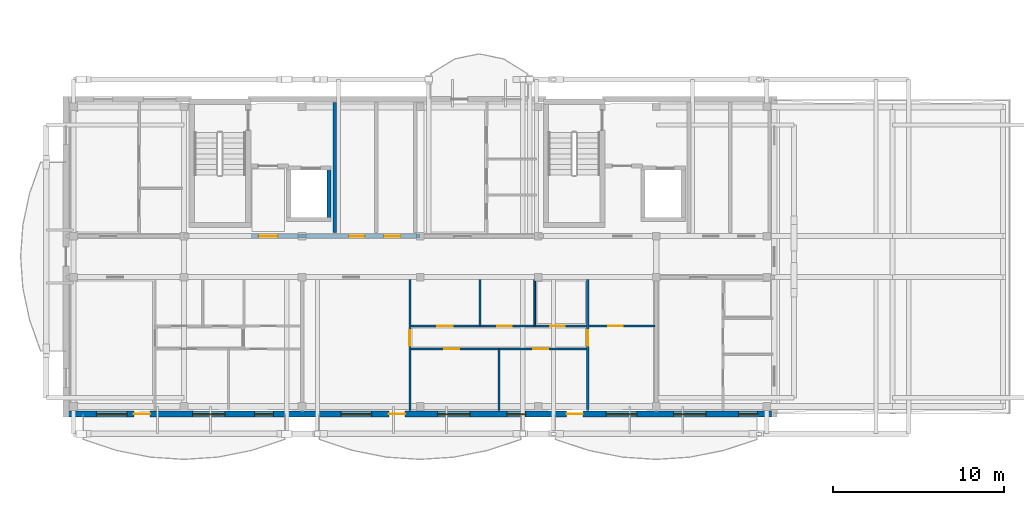
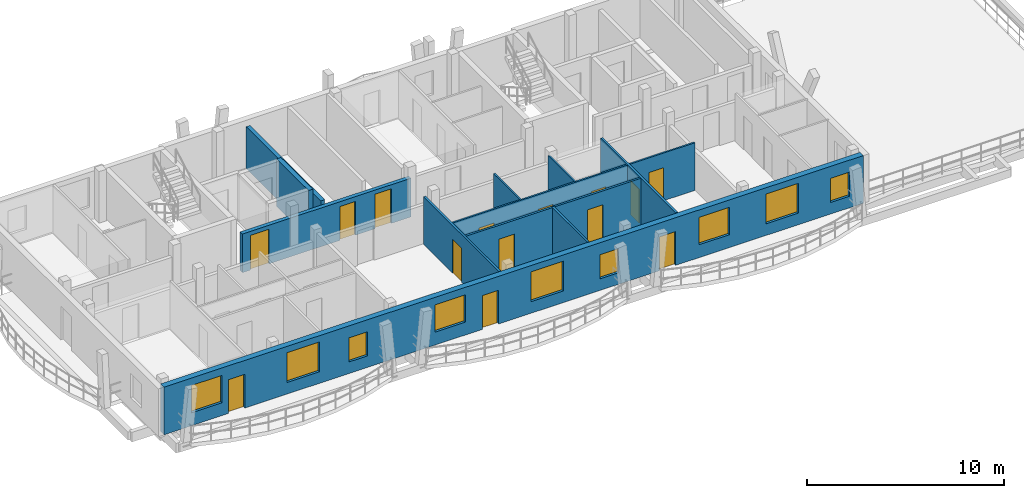
# One storey, part 14 of 33: 14 doors, 11 walls, 9 windows, 23 openings.
"""IFC4 building model written with IfcOpenShell, lengths in metres."""

from ifc_helpers import new_model, si_unit, direction, frame, frame_2d, origin, origin_with_axes, place, context, subcontext, project, spatial, rectangle, extrude, material, layer, layer_set, type_object, element, fill, save


model = new_model("IFC4")

# Units and contexts
model_context = context("Model", 3, precision=1e-05, world=origin(), true_north=direction((0.0, 1.0)))
body_context = subcontext(model_context, "Body", "Model", "MODEL_VIEW")
ifc_project = project(units=[si_unit("LENGTHUNIT", "METRE"), si_unit("AREAUNIT", "SQUARE_METRE"), si_unit("VOLUMEUNIT", "CUBIC_METRE"), si_unit("PLANEANGLEUNIT", "RADIAN"), si_unit("MASSUNIT", "GRAM", prefix="KILO")], contexts=[model_context])

# Site, building, storey
site_placement = place(None, origin())
site = spatial("IfcSite", under=ifc_project, at=site_placement, CompositionType="ELEMENT")
building_placement = place(site_placement, origin())
building = spatial("IfcBuilding", under=site, at=building_placement, Name="Zavelmont Quarter", CompositionType="ELEMENT")
storey_placement = place(building_placement, frame((0.0, 0.0, 30.39990234375)))
storey = spatial("IfcBuildingStorey", under=building, at=storey_placement, Name="L09", CompositionType="ELEMENT", Elevation=30.39990234375)

# Wall, openings, doors, windows
ifc_material_1 = material(Name="Natural Belgian limestone", Category="masonry")
ifc_layer_1 = layer(ifc_material_1, 0.340087890625)
ifc_layer_set_1 = layer_set([ifc_layer_1], Name="Natural Belgian limestone")
wall_type_1 = type_object("IfcWallType", Name="EW03", PredefinedType="STANDARD", material=ifc_layer_set_1)
wall_1_placement = place(storey_placement, frame((0.159912109375, 0.0, 0.0), z_axis=(0.0, 0.0, 1.0), x_axis=(1.0, 0.0, 0.0)))
wall_1 = element("IfcWall", 1, at=wall_1_placement, inside=storey, type_object=wall_type_1, Name="L09 exterior limestone wall EW03", PredefinedType="STANDARD", context=body_context, shape_type="SweptSolid", body=[
    extrude(rectangle(XDim=41.080078125, YDim=0.340087890625, at=frame_2d((20.5400390625, 0.0))), origin(), (0.0, 0.0, 1.0), 2.960205078125),
])
opening_1_placement = place(wall_1_placement, frame((3.806640625, 0.0, 0.0)))
opening_1 = element("IfcOpeningElement", 2, at=opening_1_placement, cuts=wall_1, Name="Opening DR04", PredefinedType="OPENING", context=body_context, shape_type="SweptSolid", body=[
    extrude(rectangle(XDim=0.949951171875, YDim=2.10009765625, at=frame_2d((0.47509765625, 1.050048828125))), frame((0.0, 0.18212890625, 0.0), z_axis=(0.0, -1.0, 0.0), x_axis=(1.0, 0.0, 0.0)), (0.0, 0.0, 1.0), 0.364013671875),
])
opening_2_placement = place(wall_1_placement, frame((18.70654296875, 0.0, 0.0)))
opening_2 = element("IfcOpeningElement", 3, at=opening_2_placement, cuts=wall_1, Name="Opening DR04", PredefinedType="OPENING", context=body_context, shape_type="SweptSolid", body=[
    extrude(rectangle(XDim=0.949951171875, YDim=2.10009765625, at=frame_2d((0.47509765625, 1.050048828125))), frame((0.0, 0.18212890625, 0.0), z_axis=(0.0, -1.0, 0.0), x_axis=(1.0, 0.0, 0.0)), (0.0, 0.0, 1.0), 0.364013671875),
])
opening_3_placement = place(wall_1_placement, frame((29.106689453125, 0.0, 0.0)))
opening_3 = element("IfcOpeningElement", 4, at=opening_3_placement, cuts=wall_1, Name="Opening DR04", PredefinedType="OPENING", context=body_context, shape_type="SweptSolid", body=[
    extrude(rectangle(XDim=0.949951171875, YDim=2.10009765625, at=frame_2d((0.47509765625, 1.050048828125))), frame((0.0, 0.18212890625, 0.0), z_axis=(0.0, -1.0, 0.0), x_axis=(1.0, 0.0, 0.0)), (0.0, 0.0, 1.0), 0.364013671875),
])
opening_4_placement = place(wall_1_placement, frame((1.610107421875, 0.0, 0.800048828125)))
opening_4 = element("IfcOpeningElement", 5, at=opening_4_placement, cuts=wall_1, Name="Opening WN02", PredefinedType="OPENING", context=body_context, shape_type="SweptSolid", body=[
    extrude(rectangle(XDim=1.800048828125, YDim=1.699951171875, at=frame_2d((0.89990234375, 0.85009765625))), frame((0.0, 0.18212890625, 0.0), z_axis=(0.0, -1.0, 0.0), x_axis=(1.0, 0.0, 0.0)), (0.0, 0.0, 1.0), 0.364013671875),
])
opening_5_placement = place(wall_1_placement, frame((7.242431640625, 0.0, 0.719970703125)))
opening_5 = element("IfcOpeningElement", 6, at=opening_5_placement, cuts=wall_1, Name="Opening WN20", PredefinedType="OPENING", context=body_context, shape_type="SweptSolid", body=[
    extrude(rectangle(XDim=1.89990234375, YDim=1.85009765625, at=frame_2d((0.949951171875, 0.925048828125))), frame((0.0, 0.18212890625, 0.0), z_axis=(0.0, -1.0, 0.0), x_axis=(1.0, 0.0, 0.0)), (0.0, 0.0, 1.0), 0.364013671875),
])
opening_6_placement = place(wall_1_placement, frame((10.860107421875, 0.0, 0.719970703125)))
opening_6 = element("IfcOpeningElement", 7, at=opening_6_placement, cuts=wall_1, Name="Opening WN09", PredefinedType="OPENING", context=body_context, shape_type="SweptSolid", body=[
    extrude(rectangle(XDim=1.10009765625, YDim=1.5, at=frame_2d((0.550048828125, 0.75))), frame((0.0, 0.18212890625, 0.0), z_axis=(0.0, -1.0, 0.0), x_axis=(1.0, 0.0, 0.0)), (0.0, 0.0, 1.0), 0.364013671875),
])
opening_7_placement = place(wall_1_placement, frame((15.909912109375, 0.0, 0.800048828125)))
opening_7 = element("IfcOpeningElement", 8, at=opening_7_placement, cuts=wall_1, Name="Opening WN02", PredefinedType="OPENING", context=body_context, shape_type="SweptSolid", body=[
    extrude(rectangle(XDim=1.800048828125, YDim=1.699951171875, at=frame_2d((0.89990234375, 0.85009765625))), frame((0.0, 0.18212890625, 0.0), z_axis=(0.0, -1.0, 0.0), x_axis=(1.0, 0.0, 0.0)), (0.0, 0.0, 1.0), 0.364013671875),
])
opening_8_placement = place(wall_1_placement, frame((21.56005859375, 0.0, 0.719970703125)))
opening_8 = element("IfcOpeningElement", 9, at=opening_8_placement, cuts=wall_1, Name="Opening WN20", PredefinedType="OPENING", context=body_context, shape_type="SweptSolid", body=[
    extrude(rectangle(XDim=1.89990234375, YDim=1.85009765625, at=frame_2d((0.949951171875, 0.925048828125))), frame((0.0, 0.18212890625, 0.0), z_axis=(0.0, -1.0, 0.0), x_axis=(1.0, 0.0, 0.0)), (0.0, 0.0, 1.0), 0.364013671875),
])
opening_9_placement = place(wall_1_placement, frame((25.610107421875, 0.0, 0.719970703125)))
opening_9 = element("IfcOpeningElement", 10, at=opening_9_placement, cuts=wall_1, Name="Opening WN09", PredefinedType="OPENING", context=body_context, shape_type="SweptSolid", body=[
    extrude(rectangle(XDim=1.10009765625, YDim=1.5, at=frame_2d((0.550048828125, 0.75))), frame((0.0, 0.18212890625, 0.0), z_axis=(0.0, -1.0, 0.0), x_axis=(1.0, 0.0, 0.0)), (0.0, 0.0, 1.0), 0.364013671875),
])
opening_10_placement = place(wall_1_placement, frame((31.409912109375, 0.0, 0.800048828125)))
opening_10 = element("IfcOpeningElement", 11, at=opening_10_placement, cuts=wall_1, Name="Opening WN02", PredefinedType="OPENING", context=body_context, shape_type="SweptSolid", body=[
    extrude(rectangle(XDim=1.800048828125, YDim=1.699951171875, at=frame_2d((0.89990234375, 0.85009765625))), frame((0.0, 0.18212890625, 0.0), z_axis=(0.0, -1.0, 0.0), x_axis=(1.0, 0.0, 0.0)), (0.0, 0.0, 1.0), 0.364013671875),
])
opening_11_placement = place(wall_1_placement, frame((35.360107421875, 0.0, 0.719970703125)))
opening_11 = element("IfcOpeningElement", 12, at=opening_11_placement, cuts=wall_1, Name="Opening WN20", PredefinedType="OPENING", context=body_context, shape_type="SweptSolid", body=[
    extrude(rectangle(XDim=1.89990234375, YDim=1.85009765625, at=frame_2d((0.949951171875, 0.925048828125))), frame((0.0, 0.18212890625, 0.0), z_axis=(0.0, -1.0, 0.0), x_axis=(1.0, 0.0, 0.0)), (0.0, 0.0, 1.0), 0.364013671875),
])
opening_12_placement = place(wall_1_placement, frame((39.159912109375, 0.0, 0.719970703125)))
opening_12 = element("IfcOpeningElement", 13, at=opening_12_placement, cuts=wall_1, Name="Opening WN09", PredefinedType="OPENING", context=body_context, shape_type="SweptSolid", body=[
    extrude(rectangle(XDim=1.10009765625, YDim=1.5, at=frame_2d((0.550048828125, 0.75))), frame((0.0, 0.18212890625, 0.0), z_axis=(0.0, -1.0, 0.0), x_axis=(1.0, 0.0, 0.0)), (0.0, 0.0, 1.0), 0.364013671875),
])
ifc_material_2 = material(Name="Thermally broken aluminium and double safety glass", Category="aluminium")
door_type_1 = type_object("IfcDoorType", Name="DR04", OperationType="NOTDEFINED", PredefinedType="DOOR", material=ifc_material_2)
door_1_placement = place(opening_1_placement, origin_with_axes())
door_1 = element("IfcDoor", 14, at=door_1_placement, inside=storey, type_object=door_type_1, Name="Block A L09 glazed balcony door", OperationType="SINGLE_SWING_RIGHT", OverallHeight=2.10009765625, OverallWidth=0.949951171875, PredefinedType="DOOR", context=body_context, shape_type="SweptSolid", body=[
    extrude(rectangle(XDim=0.949951171875, YDim=2.10009765625, at=frame_2d((0.47509765625, 1.050048828125))), frame((0.0, 0.02490234375, 0.0), z_axis=(0.0, -1.0, 0.0), x_axis=(1.0, 0.0, 0.0)), (0.0, 0.0, 1.0), 0.050048828125),
])
fill(opening_1, door_1)
door_2_placement = place(opening_2_placement, origin_with_axes())
door_2 = element("IfcDoor", 15, at=door_2_placement, inside=storey, type_object=door_type_1, Name="Block A L09 glazed balcony door", OperationType="SINGLE_SWING_RIGHT", OverallHeight=2.10009765625, OverallWidth=0.949951171875, PredefinedType="DOOR", context=body_context, shape_type="SweptSolid", body=[
    extrude(rectangle(XDim=0.949951171875, YDim=2.10009765625, at=frame_2d((0.47509765625, 1.050048828125))), frame((0.0, 0.02490234375, 0.0), z_axis=(0.0, -1.0, 0.0), x_axis=(1.0, 0.0, 0.0)), (0.0, 0.0, 1.0), 0.050048828125),
])
fill(opening_2, door_2)
door_3_placement = place(opening_3_placement, origin_with_axes())
door_3 = element("IfcDoor", 16, at=door_3_placement, inside=storey, type_object=door_type_1, Name="Block A L09 glazed balcony door", OperationType="SINGLE_SWING_RIGHT", OverallHeight=2.10009765625, OverallWidth=0.949951171875, PredefinedType="DOOR", context=body_context, shape_type="SweptSolid", body=[
    extrude(rectangle(XDim=0.949951171875, YDim=2.10009765625, at=frame_2d((0.47509765625, 1.050048828125))), frame((0.0, 0.02490234375, 0.0), z_axis=(0.0, -1.0, 0.0), x_axis=(1.0, 0.0, 0.0)), (0.0, 0.0, 1.0), 0.050048828125),
])
fill(opening_3, door_3)
ifc_material_3 = material(Name="Double low-E insulated glazing in thermally broken aluminium frame", Category="aluminium")
window_type_1 = type_object("IfcWindowType", Name="WN02", PartitioningType="SINGLE_PANEL", PredefinedType="WINDOW", material=ifc_material_3)
window_1_placement = place(opening_4_placement, origin_with_axes())
window_1 = element("IfcWindow", 17, at=window_1_placement, inside=storey, type_object=window_type_1, Name="L09 window WN02", OverallHeight=1.699951171875, OverallWidth=1.800048828125, PartitioningType="SINGLE_PANEL", PredefinedType="WINDOW", context=body_context, shape_type="SweptSolid", body=[
    extrude(rectangle(XDim=1.800048828125, YDim=1.699951171875, at=frame_2d((0.89990234375, 0.85009765625))), frame((0.0, 0.030029296875, 0.0), z_axis=(0.0, -1.0, 0.0), x_axis=(1.0, 0.0, 0.0)), (0.0, 0.0, 1.0), 0.06005859375),
])
fill(opening_4, window_1)
window_2_placement = place(opening_7_placement, origin_with_axes())
window_2 = element("IfcWindow", 18, at=window_2_placement, inside=storey, type_object=window_type_1, Name="L09 window WN02", OverallHeight=1.699951171875, OverallWidth=1.800048828125, PartitioningType="SINGLE_PANEL", PredefinedType="WINDOW", context=body_context, shape_type="SweptSolid", body=[
    extrude(rectangle(XDim=1.800048828125, YDim=1.699951171875, at=frame_2d((0.89990234375, 0.85009765625))), frame((0.0, 0.030029296875, 0.0), z_axis=(0.0, -1.0, 0.0), x_axis=(1.0, 0.0, 0.0)), (0.0, 0.0, 1.0), 0.06005859375),
])
fill(opening_7, window_2)
window_3_placement = place(opening_10_placement, origin_with_axes())
window_3 = element("IfcWindow", 19, at=window_3_placement, inside=storey, type_object=window_type_1, Name="L09 window WN02", OverallHeight=1.699951171875, OverallWidth=1.800048828125, PartitioningType="SINGLE_PANEL", PredefinedType="WINDOW", context=body_context, shape_type="SweptSolid", body=[
    extrude(rectangle(XDim=1.800048828125, YDim=1.699951171875, at=frame_2d((0.89990234375, 0.85009765625))), frame((0.0, 0.030029296875, 0.0), z_axis=(0.0, -1.0, 0.0), x_axis=(1.0, 0.0, 0.0)), (0.0, 0.0, 1.0), 0.06005859375),
])
fill(opening_10, window_3)
window_type_2 = type_object("IfcWindowType", Name="WN09", PartitioningType="SINGLE_PANEL", PredefinedType="WINDOW", material=ifc_material_3)
window_4_placement = place(opening_6_placement, origin_with_axes())
window_4 = element("IfcWindow", 20, at=window_4_placement, inside=storey, type_object=window_type_2, Name="L09 window WN09", OverallHeight=1.5, OverallWidth=1.10009765625, PartitioningType="SINGLE_PANEL", PredefinedType="WINDOW", context=body_context, shape_type="SweptSolid", body=[
    extrude(rectangle(XDim=1.10009765625, YDim=1.5, at=frame_2d((0.550048828125, 0.75))), frame((0.0, 0.030029296875, 0.0), z_axis=(0.0, -1.0, 0.0), x_axis=(1.0, 0.0, 0.0)), (0.0, 0.0, 1.0), 0.06005859375),
])
fill(opening_6, window_4)
window_5_placement = place(opening_9_placement, origin_with_axes())
window_5 = element("IfcWindow", 21, at=window_5_placement, inside=storey, type_object=window_type_2, Name="L09 window WN09", OverallHeight=1.5, OverallWidth=1.10009765625, PartitioningType="SINGLE_PANEL", PredefinedType="WINDOW", context=body_context, shape_type="SweptSolid", body=[
    extrude(rectangle(XDim=1.10009765625, YDim=1.5, at=frame_2d((0.550048828125, 0.75))), frame((0.0, 0.030029296875, 0.0), z_axis=(0.0, -1.0, 0.0), x_axis=(1.0, 0.0, 0.0)), (0.0, 0.0, 1.0), 0.06005859375),
])
fill(opening_9, window_5)
window_6_placement = place(opening_12_placement, origin_with_axes())
window_6 = element("IfcWindow", 22, at=window_6_placement, inside=storey, type_object=window_type_2, Name="L09 window WN09", OverallHeight=1.5, OverallWidth=1.10009765625, PartitioningType="SINGLE_PANEL", PredefinedType="WINDOW", context=body_context, shape_type="SweptSolid", body=[
    extrude(rectangle(XDim=1.10009765625, YDim=1.5, at=frame_2d((0.550048828125, 0.75))), frame((0.0, 0.030029296875, 0.0), z_axis=(0.0, -1.0, 0.0), x_axis=(1.0, 0.0, 0.0)), (0.0, 0.0, 1.0), 0.06005859375),
])
fill(opening_12, window_6)
window_type_3 = type_object("IfcWindowType", Name="WN20", PartitioningType="SINGLE_PANEL", PredefinedType="WINDOW", material=ifc_material_3)
window_7_placement = place(opening_5_placement, origin_with_axes())
window_7 = element("IfcWindow", 23, at=window_7_placement, inside=storey, type_object=window_type_3, Name="L09 window WN20", OverallHeight=1.85009765625, OverallWidth=1.89990234375, PartitioningType="SINGLE_PANEL", PredefinedType="WINDOW", context=body_context, shape_type="SweptSolid", body=[
    extrude(rectangle(XDim=1.89990234375, YDim=1.85009765625, at=frame_2d((0.949951171875, 0.925048828125))), frame((0.0, 0.030029296875, 0.0), z_axis=(0.0, -1.0, 0.0), x_axis=(1.0, 0.0, 0.0)), (0.0, 0.0, 1.0), 0.06005859375),
])
fill(opening_5, window_7)
window_8_placement = place(opening_8_placement, origin_with_axes())
window_8 = element("IfcWindow", 24, at=window_8_placement, inside=storey, type_object=window_type_3, Name="L09 window WN20", OverallHeight=1.85009765625, OverallWidth=1.89990234375, PartitioningType="SINGLE_PANEL", PredefinedType="WINDOW", context=body_context, shape_type="SweptSolid", body=[
    extrude(rectangle(XDim=1.89990234375, YDim=1.85009765625, at=frame_2d((0.949951171875, 0.925048828125))), frame((0.0, 0.030029296875, 0.0), z_axis=(0.0, -1.0, 0.0), x_axis=(1.0, 0.0, 0.0)), (0.0, 0.0, 1.0), 0.06005859375),
])
fill(opening_8, window_8)
window_9_placement = place(opening_11_placement, origin_with_axes())
window_9 = element("IfcWindow", 25, at=window_9_placement, inside=storey, type_object=window_type_3, Name="L09 window WN20", OverallHeight=1.85009765625, OverallWidth=1.89990234375, PartitioningType="SINGLE_PANEL", PredefinedType="WINDOW", context=body_context, shape_type="SweptSolid", body=[
    extrude(rectangle(XDim=1.89990234375, YDim=1.85009765625, at=frame_2d((0.949951171875, 0.925048828125))), frame((0.0, 0.030029296875, 0.0), z_axis=(0.0, -1.0, 0.0), x_axis=(1.0, 0.0, 0.0)), (0.0, 0.0, 1.0), 0.06005859375),
])
fill(opening_11, window_9)

# Wall
ifc_material_4 = material(Name="Reinforced masonry fire compartment wall", Category="masonry")
ifc_layer_2 = layer(ifc_material_4, 0.22509765625)
ifc_layer_set_2 = layer_set([ifc_layer_2], Name="Reinforced masonry fire compartment wall")
wall_type_2 = type_object("IfcWallType", Name="IW02", PredefinedType="PARTITIONING", material=ifc_layer_set_2)
wall_2_placement = place(storey_placement, frame((15.7099609375, 10.60009765625, 0.0), z_axis=(0.0, 0.0, 1.0), x_axis=(0.0, 1.0, 0.0)))
element("IfcWall", 26, at=wall_2_placement, inside=storey, type_object=wall_type_2, Name="L09 Firefighting lobby enclosure wall IW02", PredefinedType="PARTITIONING", context=body_context, shape_type="SweptSolid", body=[
    extrude(rectangle(XDim=7.599853515625, YDim=0.22509765625, at=frame_2d((3.7998046875, 0.0))), origin(), (0.0, 0.0, 1.0), 2.590087890625),
])

# Wall, openings, doors
wall_3_placement = place(storey_placement, frame((10.800048828125, 10.39990234375, 0.0), z_axis=(0.0, 0.0, 1.0), x_axis=(1.0, 0.0, 0.0)))
wall_3 = element("IfcWall", 27, at=wall_3_placement, inside=storey, type_object=wall_type_2, Name="L09 Core corridor fire wall IW02", PredefinedType="PARTITIONING", context=body_context, shape_type="SweptSolid", body=[
    extrude(rectangle(XDim=9.89990234375, YDim=0.22509765625, at=frame_2d((4.949951171875, 0.0))), origin(), (0.0, 0.0, 1.0), 2.400146484375),
])
opening_13_placement = place(wall_3_placement, frame((0.47509765625, 0.0, 0.0)))
opening_13 = element("IfcOpeningElement", 28, at=opening_13_placement, cuts=wall_3, Name="Opening DR10", PredefinedType="OPENING", context=body_context, shape_type="SweptSolid", body=[
    extrude(rectangle(XDim=1.10009765625, YDim=2.14990234375, at=frame_2d((0.550048828125, 1.074951171875))), frame((0.0, 0.12451171875, 0.0), z_axis=(0.0, -1.0, 0.0), x_axis=(1.0, 0.0, 0.0)), (0.0, 0.0, 1.0), 0.2490234375),
])
opening_14_placement = place(wall_3_placement, frame((5.75, 0.0, 0.0)))
opening_14 = element("IfcOpeningElement", 29, at=opening_14_placement, cuts=wall_3, Name="Opening DR11", PredefinedType="OPENING", context=body_context, shape_type="SweptSolid", body=[
    extrude(rectangle(XDim=0.89990234375, YDim=2.10009765625, at=frame_2d((0.449951171875, 1.050048828125))), frame((0.0, 0.12451171875, 0.0), z_axis=(0.0, -1.0, 0.0), x_axis=(1.0, 0.0, 0.0)), (0.0, 0.0, 1.0), 0.2490234375),
])
opening_15_placement = place(wall_3_placement, frame((7.800048828125, 0.0, 0.0)))
opening_15 = element("IfcOpeningElement", 30, at=opening_15_placement, cuts=wall_3, Name="Opening DR02", PredefinedType="OPENING", context=body_context, shape_type="SweptSolid", body=[
    extrude(rectangle(XDim=0.949951171875, YDim=2.14990234375, at=frame_2d((0.47509765625, 1.074951171875))), frame((0.0, 0.12451171875, 0.0), z_axis=(0.0, -1.0, 0.0), x_axis=(1.0, 0.0, 0.0)), (0.0, 0.0, 1.0), 0.2490234375),
])
ifc_material_5 = material(Name="Solid-core oak fire leaf in steel frame", Category="steel")
door_type_2 = type_object("IfcDoorType", Name="DR02", OperationType="NOTDEFINED", PredefinedType="DOOR", material=ifc_material_5)
door_4_placement = place(opening_15_placement, frame((0.949951171875, 0.0, 0.0), z_axis=(0.0, 0.0, 1.0), x_axis=(-1.0, 0.0, 0.0)))
door_4 = element("IfcDoor", 31, at=door_4_placement, inside=storey, type_object=door_type_2, Name="Auxiliary store corridor door", OperationType="SINGLE_SWING_RIGHT", OverallHeight=2.14990234375, OverallWidth=0.949951171875, PredefinedType="DOOR", context=body_context, shape_type="SweptSolid", body=[
    extrude(rectangle(XDim=0.949951171875, YDim=2.14990234375, at=frame_2d((0.47509765625, 1.074951171875))), frame((0.0, 0.02490234375, 0.0), z_axis=(0.0, -1.0, 0.0), x_axis=(1.0, 0.0, 0.0)), (0.0, 0.0, 1.0), 0.050048828125),
])
fill(opening_15, door_4)
ifc_material_6 = material(Name="Painted steel lobby fire door", Category="steel")
door_type_3 = type_object("IfcDoorType", Name="DR10", OperationType="NOTDEFINED", PredefinedType="DOOR", material=ifc_material_6)
door_5_placement = place(opening_13_placement, origin_with_axes())
door_5 = element("IfcDoor", 32, at=door_5_placement, inside=storey, type_object=door_type_3, Name="Core vestibule fire door", OperationType="SINGLE_SWING_RIGHT", OverallHeight=2.14990234375, OverallWidth=1.10009765625, PredefinedType="DOOR", context=body_context, shape_type="SweptSolid", body=[
    extrude(rectangle(XDim=1.10009765625, YDim=2.14990234375, at=frame_2d((0.550048828125, 1.074951171875))), frame((0.0, 0.02490234375, 0.0), z_axis=(0.0, -1.0, 0.0), x_axis=(1.0, 0.0, 0.0)), (0.0, 0.0, 1.0), 0.050048828125),
])
fill(opening_13, door_5)
ifc_material_7 = material(Name="Painted steel service-riser fire door", Category="steel")
door_type_4 = type_object("IfcDoorType", Name="DR11", OperationType="NOTDEFINED", PredefinedType="DOOR", material=ifc_material_7)
door_6_placement = place(opening_14_placement, frame((0.89990234375, 0.0, 0.0), z_axis=(0.0, 0.0, 1.0), x_axis=(-1.0, 0.0, 0.0)))
door_6 = element("IfcDoor", 33, at=door_6_placement, inside=storey, type_object=door_type_4, Name="Service riser fire door", OperationType="SINGLE_SWING_LEFT", OverallHeight=2.10009765625, OverallWidth=0.89990234375, PredefinedType="DOOR", context=body_context, shape_type="SweptSolid", body=[
    extrude(rectangle(XDim=0.89990234375, YDim=2.10009765625, at=frame_2d((0.449951171875, 1.050048828125))), frame((0.0, 0.02490234375, 0.0), z_axis=(0.0, -1.0, 0.0), x_axis=(1.0, 0.0, 0.0)), (0.0, 0.0, 1.0), 0.050048828125),
])
fill(opening_14, door_6)

# Wall, opening, door
ifc_material_8 = material(Name="Double gypsum board on acoustic steel stud", Category="steel")
ifc_layer_3 = layer(ifc_material_8, 0.125)
ifc_layer_set_3 = layer_set([ifc_layer_3], Name="Double gypsum board on acoustic steel stud")
wall_type_3 = type_object("IfcWallType", Name="IW03", PredefinedType="PARTITIONING", material=ifc_layer_set_3)
wall_4_placement = place(storey_placement, frame((20.10009765625, 7.85009765625, 0.0), z_axis=(0.0, 0.0, 1.0), x_axis=(0.0, -1.0, 0.0)))
wall_4 = element("IfcWall", 34, at=wall_4_placement, inside=storey, type_object=wall_type_3, Name="L09 Partition IW03", PredefinedType="PARTITIONING", context=body_context, shape_type="SweptSolid", body=[
    extrude(rectangle(XDim=7.650146484375, YDim=0.125, at=frame_2d((3.8251953125, 0.0))), origin(), (0.0, 0.0, 1.0), 2.960205078125),
])
opening_16_placement = place(wall_4_placement, frame((2.949951171875, 0.0, 0.0)))
opening_16 = element("IfcOpeningElement", 35, at=opening_16_placement, cuts=wall_4, Name="Opening DR05", PredefinedType="OPENING", context=body_context, shape_type="SweptSolid", body=[
    extrude(rectangle(XDim=0.89990234375, YDim=2.10009765625, at=frame_2d((0.449951171875, 1.050048828125))), frame((0.0, 0.074462890625, 0.0), z_axis=(0.0, -1.0, 0.0), x_axis=(1.0, 0.0, 0.0)), (0.0, 0.0, 1.0), 0.14892578125),
])
ifc_material_9 = material(Name="Engineered oak flush interior door")
door_type_5 = type_object("IfcDoorType", Name="DR05", OperationType="NOTDEFINED", PredefinedType="DOOR", material=ifc_material_9)
door_7_placement = place(opening_16_placement, origin_with_axes())
door_7 = element("IfcDoor", 36, at=door_7_placement, inside=storey, type_object=door_type_5, Name="L09 door DR05", OperationType="SINGLE_SWING_RIGHT", OverallHeight=2.10009765625, OverallWidth=0.89990234375, PredefinedType="DOOR", context=body_context, shape_type="SweptSolid", body=[
    extrude(rectangle(XDim=0.89990234375, YDim=2.10009765625, at=frame_2d((0.449951171875, 1.050048828125))), frame((0.0, 0.02490234375, 0.0), z_axis=(0.0, -1.0, 0.0), x_axis=(1.0, 0.0, 0.0)), (0.0, 0.0, 1.0), 0.050048828125),
])
fill(opening_16, door_7)

# Wall
wall_5_placement = place(storey_placement, frame((25.300048828125, 3.800048828125, 0.0), z_axis=(0.0, 0.0, 1.0), x_axis=(0.0, -1.0, 0.0)))
element("IfcWall", 37, at=wall_5_placement, inside=storey, type_object=wall_type_3, Name="L09 Partition IW03", PredefinedType="PARTITIONING", context=body_context, shape_type="SweptSolid", body=[
    extrude(rectangle(XDim=3.60009765625, YDim=0.125, at=frame_2d((1.800048828125, 0.0))), origin(), (0.0, 0.0, 1.0), 2.960205078125),
])

# Wall, opening, door
wall_6_placement = place(storey_placement, frame((30.5, 7.85009765625, 0.0), z_axis=(0.0, 0.0, 1.0), x_axis=(0.0, -1.0, 0.0)))
wall_6 = element("IfcWall", 38, at=wall_6_placement, inside=storey, type_object=wall_type_3, Name="L09 Partition IW03", PredefinedType="PARTITIONING", context=body_context, shape_type="SweptSolid", body=[
    extrude(rectangle(XDim=7.650146484375, YDim=0.125, at=frame_2d((3.8251953125, 0.0))), origin(), (0.0, 0.0, 1.0), 2.960205078125),
])
opening_17_placement = place(wall_6_placement, frame((2.949951171875, 0.0, 0.0)))
opening_17 = element("IfcOpeningElement", 39, at=opening_17_placement, cuts=wall_6, Name="Opening DR05", PredefinedType="OPENING", context=body_context, shape_type="SweptSolid", body=[
    extrude(rectangle(XDim=0.89990234375, YDim=2.10009765625, at=frame_2d((0.449951171875, 1.050048828125))), frame((0.0, 0.074462890625, 0.0), z_axis=(0.0, -1.0, 0.0), x_axis=(1.0, 0.0, 0.0)), (0.0, 0.0, 1.0), 0.14892578125),
])
door_8_placement = place(opening_17_placement, frame((0.89990234375, 0.0, 0.0), z_axis=(0.0, 0.0, 1.0), x_axis=(-1.0, 0.0, 0.0)))
door_8 = element("IfcDoor", 40, at=door_8_placement, inside=storey, type_object=door_type_5, Name="L09 door DR05", OperationType="SINGLE_SWING_LEFT", OverallHeight=2.10009765625, OverallWidth=0.89990234375, PredefinedType="DOOR", context=body_context, shape_type="SweptSolid", body=[
    extrude(rectangle(XDim=0.89990234375, YDim=2.10009765625, at=frame_2d((0.449951171875, 1.050048828125))), frame((0.0, 0.02490234375, 0.0), z_axis=(0.0, -1.0, 0.0), x_axis=(1.0, 0.0, 0.0)), (0.0, 0.0, 1.0), 0.050048828125),
])
fill(opening_17, door_8)

# Wall, openings, doors
wall_7_placement = place(storey_placement, frame((20.10009765625, 3.800048828125, 0.0), z_axis=(0.0, 0.0, 1.0), x_axis=(1.0, 0.0, 0.0)))
wall_7 = element("IfcWall", 41, at=wall_7_placement, inside=storey, type_object=wall_type_3, Name="L09 Partition IW03", PredefinedType="PARTITIONING", context=body_context, shape_type="SweptSolid", body=[
    extrude(rectangle(XDim=10.39990234375, YDim=0.125, at=frame_2d((5.199951171875, 0.0))), origin(), (0.0, 0.0, 1.0), 2.960205078125),
])
opening_18_placement = place(wall_7_placement, frame((2.0, 0.0, 0.0)))
opening_18 = element("IfcOpeningElement", 42, at=opening_18_placement, cuts=wall_7, Name="Opening DR05", PredefinedType="OPENING", context=body_context, shape_type="SweptSolid", body=[
    extrude(rectangle(XDim=0.89990234375, YDim=2.10009765625, at=frame_2d((0.449951171875, 1.050048828125))), frame((0.0, 0.074462890625, 0.0), z_axis=(0.0, -1.0, 0.0), x_axis=(1.0, 0.0, 0.0)), (0.0, 0.0, 1.0), 0.14892578125),
])
opening_19_placement = place(wall_7_placement, frame((7.199951171875, 0.0, 0.0)))
opening_19 = element("IfcOpeningElement", 43, at=opening_19_placement, cuts=wall_7, Name="Opening DR05", PredefinedType="OPENING", context=body_context, shape_type="SweptSolid", body=[
    extrude(rectangle(XDim=0.89990234375, YDim=2.10009765625, at=frame_2d((0.449951171875, 1.050048828125))), frame((0.0, 0.074462890625, 0.0), z_axis=(0.0, -1.0, 0.0), x_axis=(1.0, 0.0, 0.0)), (0.0, 0.0, 1.0), 0.14892578125),
])
door_9_placement = place(opening_18_placement, origin_with_axes())
door_9 = element("IfcDoor", 44, at=door_9_placement, inside=storey, type_object=door_type_5, Name="L09 door DR05", OperationType="SINGLE_SWING_RIGHT", OverallHeight=2.10009765625, OverallWidth=0.89990234375, PredefinedType="DOOR", context=body_context, shape_type="SweptSolid", body=[
    extrude(rectangle(XDim=0.89990234375, YDim=2.10009765625, at=frame_2d((0.449951171875, 1.050048828125))), frame((0.0, 0.02490234375, 0.0), z_axis=(0.0, -1.0, 0.0), x_axis=(1.0, 0.0, 0.0)), (0.0, 0.0, 1.0), 0.050048828125),
])
fill(opening_18, door_9)
door_10_placement = place(opening_19_placement, frame((0.89990234375, 0.0, 0.0), z_axis=(0.0, 0.0, 1.0), x_axis=(-1.0, 0.0, 0.0)))
door_10 = element("IfcDoor", 45, at=door_10_placement, inside=storey, type_object=door_type_5, Name="L09 door DR05", OperationType="SINGLE_SWING_LEFT", OverallHeight=2.10009765625, OverallWidth=0.89990234375, PredefinedType="DOOR", context=body_context, shape_type="SweptSolid", body=[
    extrude(rectangle(XDim=0.89990234375, YDim=2.10009765625, at=frame_2d((0.449951171875, 1.050048828125))), frame((0.0, 0.02490234375, 0.0), z_axis=(0.0, -1.0, 0.0), x_axis=(1.0, 0.0, 0.0)), (0.0, 0.0, 1.0), 0.050048828125),
])
fill(opening_19, door_10)

# Walls
ifc_material_10 = material(Name="Moisture-resistant gypsum board on steel stud", Category="steel")
ifc_layer_4 = layer(ifc_material_10, 0.10009765625)
ifc_layer_set_4 = layer_set([ifc_layer_4], Name="Moisture-resistant gypsum board on steel stud")
wall_type_4 = type_object("IfcWallType", Name="IW04", PredefinedType="PARTITIONING", material=ifc_layer_set_4)
for number, where, z_axis, x_axis, name in (
    (46, (24.199951171875, 7.85009765625, 0.0), (0.0, 0.0, 1.0), (0.0, -1.0, 0.0), "L09 Partition IW04"),
    (47, (27.39990234375, 7.85009765625, 0.0), (0.0, 0.0, 1.0), (0.0, -1.0, 0.0), "L09 Partition IW04"),
):
    element("IfcWall", number, at=place(storey_placement, frame(where, z_axis=z_axis, x_axis=x_axis)), inside=storey, type_object=wall_type_4, Name=name, PredefinedType="PARTITIONING", context=body_context, shape_type="SweptSolid", body=[
        extrude(rectangle(XDim=2.7001953125, YDim=0.10009765625, at=frame_2d((1.35009765625, 0.0))), origin(), (0.0, 0.0, 1.0), 2.960205078125),
    ])

# Wall, openings, doors
wall_8_placement = place(storey_placement, frame((20.10009765625, 5.14990234375, 0.0), z_axis=(0.0, 0.0, 1.0), x_axis=(1.0, 0.0, 0.0)))
wall_8 = element("IfcWall", 48, at=wall_8_placement, inside=storey, type_object=wall_type_4, Name="L09 Partition IW04", PredefinedType="PARTITIONING", context=body_context, shape_type="SweptSolid", body=[
    extrude(rectangle(XDim=14.2998046875, YDim=0.10009765625, at=frame_2d((7.14990234375, 0.0))), origin(), (0.0, 0.0, 1.0), 2.960205078125),
])
opening_20_placement = place(wall_8_placement, frame((1.60009765625, 0.0, 0.0)))
opening_20 = element("IfcOpeningElement", 49, at=opening_20_placement, cuts=wall_8, Name="Opening DR05", PredefinedType="OPENING", context=body_context, shape_type="SweptSolid", body=[
    extrude(rectangle(XDim=0.89990234375, YDim=2.10009765625, at=frame_2d((0.449951171875, 1.050048828125))), frame((0.0, 0.06201171875, 0.0), z_axis=(0.0, -1.0, 0.0), x_axis=(1.0, 0.0, 0.0)), (0.0, 0.0, 1.0), 0.1240234375),
])
opening_21_placement = place(wall_8_placement, frame((5.10009765625, 0.0, 0.0)))
opening_21 = element("IfcOpeningElement", 50, at=opening_21_placement, cuts=wall_8, Name="Opening DR06", PredefinedType="OPENING", context=body_context, shape_type="SweptSolid", body=[
    extrude(rectangle(XDim=0.85009765625, YDim=2.050048828125, at=frame_2d((0.425048828125, 1.02490234375))), frame((0.0, 0.06201171875, 0.0), z_axis=(0.0, -1.0, 0.0), x_axis=(1.0, 0.0, 0.0)), (0.0, 0.0, 1.0), 0.1240234375),
])
opening_22_placement = place(wall_8_placement, frame((8.199951171875, 0.0, 0.0)))
opening_22 = element("IfcOpeningElement", 51, at=opening_22_placement, cuts=wall_8, Name="Opening DR06", PredefinedType="OPENING", context=body_context, shape_type="SweptSolid", body=[
    extrude(rectangle(XDim=0.85009765625, YDim=2.050048828125, at=frame_2d((0.425048828125, 1.02490234375))), frame((0.0, 0.06201171875, 0.0), z_axis=(0.0, -1.0, 0.0), x_axis=(1.0, 0.0, 0.0)), (0.0, 0.0, 1.0), 0.1240234375),
])
opening_23_placement = place(wall_8_placement, frame((11.60009765625, 0.0, 0.0)))
opening_23 = element("IfcOpeningElement", 52, at=opening_23_placement, cuts=wall_8, Name="Opening DR06", PredefinedType="OPENING", context=body_context, shape_type="SweptSolid", body=[
    extrude(rectangle(XDim=0.85009765625, YDim=2.050048828125, at=frame_2d((0.425048828125, 1.02490234375))), frame((0.0, 0.06201171875, 0.0), z_axis=(0.0, -1.0, 0.0), x_axis=(1.0, 0.0, 0.0)), (0.0, 0.0, 1.0), 0.1240234375),
])
door_11_placement = place(opening_20_placement, origin_with_axes())
door_11 = element("IfcDoor", 53, at=door_11_placement, inside=storey, type_object=door_type_5, Name="L09 door DR05", OperationType="SINGLE_SWING_RIGHT", OverallHeight=2.10009765625, OverallWidth=0.89990234375, PredefinedType="DOOR", context=body_context, shape_type="SweptSolid", body=[
    extrude(rectangle(XDim=0.89990234375, YDim=2.10009765625, at=frame_2d((0.449951171875, 1.050048828125))), frame((0.0, 0.02490234375, 0.0), z_axis=(0.0, -1.0, 0.0), x_axis=(1.0, 0.0, 0.0)), (0.0, 0.0, 1.0), 0.050048828125),
])
fill(opening_20, door_11)
ifc_material_11 = material(Name="Moisture-resistant painted wet-room door")
door_type_6 = type_object("IfcDoorType", Name="DR06", OperationType="NOTDEFINED", PredefinedType="DOOR", material=ifc_material_11)
door_12_placement = place(opening_21_placement, frame((0.85009765625, 0.0, 0.0), z_axis=(0.0, 0.0, 1.0), x_axis=(-1.0, 0.0, 0.0)))
door_12 = element("IfcDoor", 54, at=door_12_placement, inside=storey, type_object=door_type_6, Name="L09 door DR06", OperationType="SINGLE_SWING_LEFT", OverallHeight=2.050048828125, OverallWidth=0.85009765625, PredefinedType="DOOR", context=body_context, shape_type="SweptSolid", body=[
    extrude(rectangle(XDim=0.85009765625, YDim=2.050048828125, at=frame_2d((0.425048828125, 1.02490234375))), frame((0.0, 0.02490234375, 0.0), z_axis=(0.0, -1.0, 0.0), x_axis=(1.0, 0.0, 0.0)), (0.0, 0.0, 1.0), 0.050048828125),
])
fill(opening_21, door_12)
door_13_placement = place(opening_22_placement, origin_with_axes())
door_13 = element("IfcDoor", 55, at=door_13_placement, inside=storey, type_object=door_type_6, Name="L09 door DR06", OperationType="SINGLE_SWING_RIGHT", OverallHeight=2.050048828125, OverallWidth=0.85009765625, PredefinedType="DOOR", context=body_context, shape_type="SweptSolid", body=[
    extrude(rectangle(XDim=0.85009765625, YDim=2.050048828125, at=frame_2d((0.425048828125, 1.02490234375))), frame((0.0, 0.02490234375, 0.0), z_axis=(0.0, -1.0, 0.0), x_axis=(1.0, 0.0, 0.0)), (0.0, 0.0, 1.0), 0.050048828125),
])
fill(opening_22, door_13)
door_14_placement = place(opening_23_placement, frame((0.85009765625, 0.0, 0.0), z_axis=(0.0, 0.0, 1.0), x_axis=(-1.0, 0.0, 0.0)))
door_14 = element("IfcDoor", 56, at=door_14_placement, inside=storey, type_object=door_type_6, Name="L09 door DR06", OperationType="SINGLE_SWING_LEFT", OverallHeight=2.050048828125, OverallWidth=0.85009765625, PredefinedType="DOOR", context=body_context, shape_type="SweptSolid", body=[
    extrude(rectangle(XDim=0.85009765625, YDim=2.050048828125, at=frame_2d((0.425048828125, 1.02490234375))), frame((0.0, 0.02490234375, 0.0), z_axis=(0.0, -1.0, 0.0), x_axis=(1.0, 0.0, 0.0)), (0.0, 0.0, 1.0), 0.050048828125),
])
fill(opening_23, door_14)

# Wall
ifc_material_12 = material(Name="Concrete C40/50", Category="concrete")
ifc_layer_5 = layer(ifc_material_12, 0.25)
ifc_layer_set_5 = layer_set([ifc_layer_5], Name="Concrete C40/50")
wall_type_5 = type_object("IfcWallType", Name="SW02", PredefinedType="SHEAR", material=ifc_layer_set_5)
wall_9_placement = place(storey_placement, frame((15.375, 11.25, 0.0), z_axis=(0.0, 0.0, 1.0), x_axis=(0.0, 1.0, 0.0)))
element("IfcWall", 57, at=wall_9_placement, inside=storey, type_object=wall_type_5, Name="L09 Lift FL01 east shaft wall SW02", PredefinedType="SHEAR", context=body_context, shape_type="SweptSolid", body=[
    extrude(rectangle(XDim=3.25, YDim=0.25, at=frame_2d((1.625, 0.0))), origin(), (0.0, 0.0, 1.0), 2.960205078125),
])

save(model, "model.ifc")
